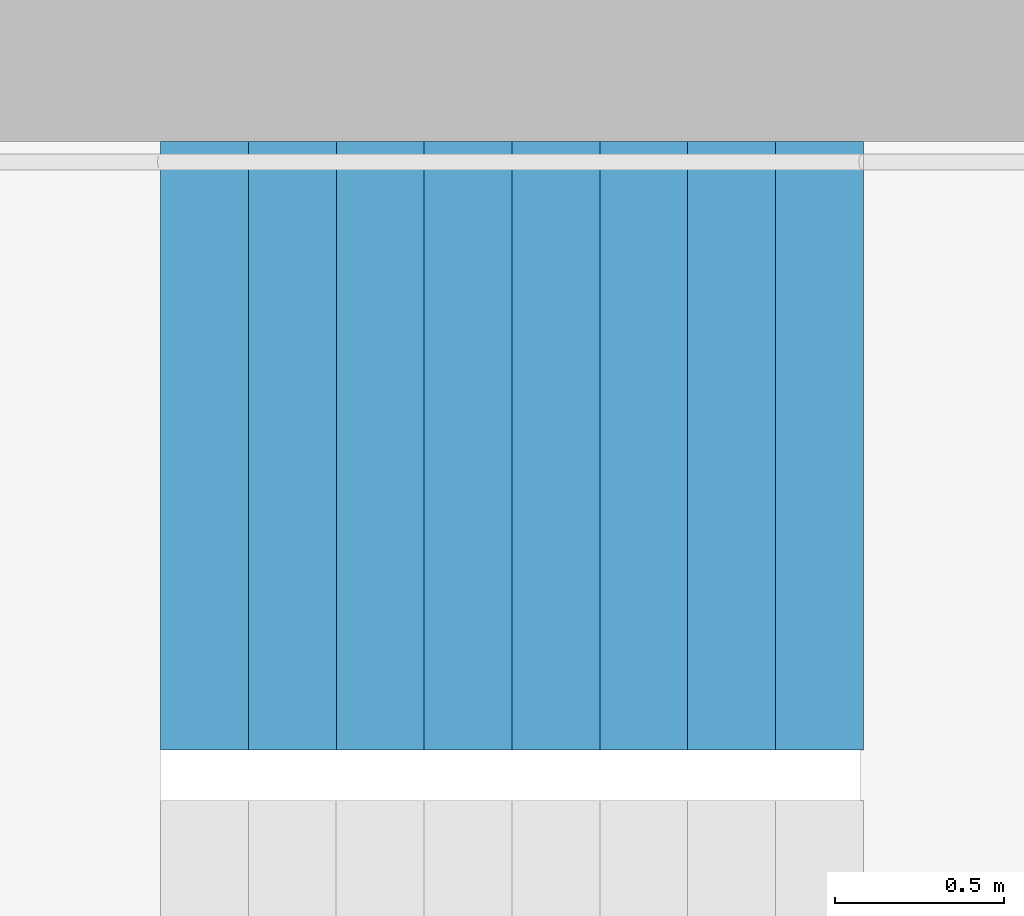
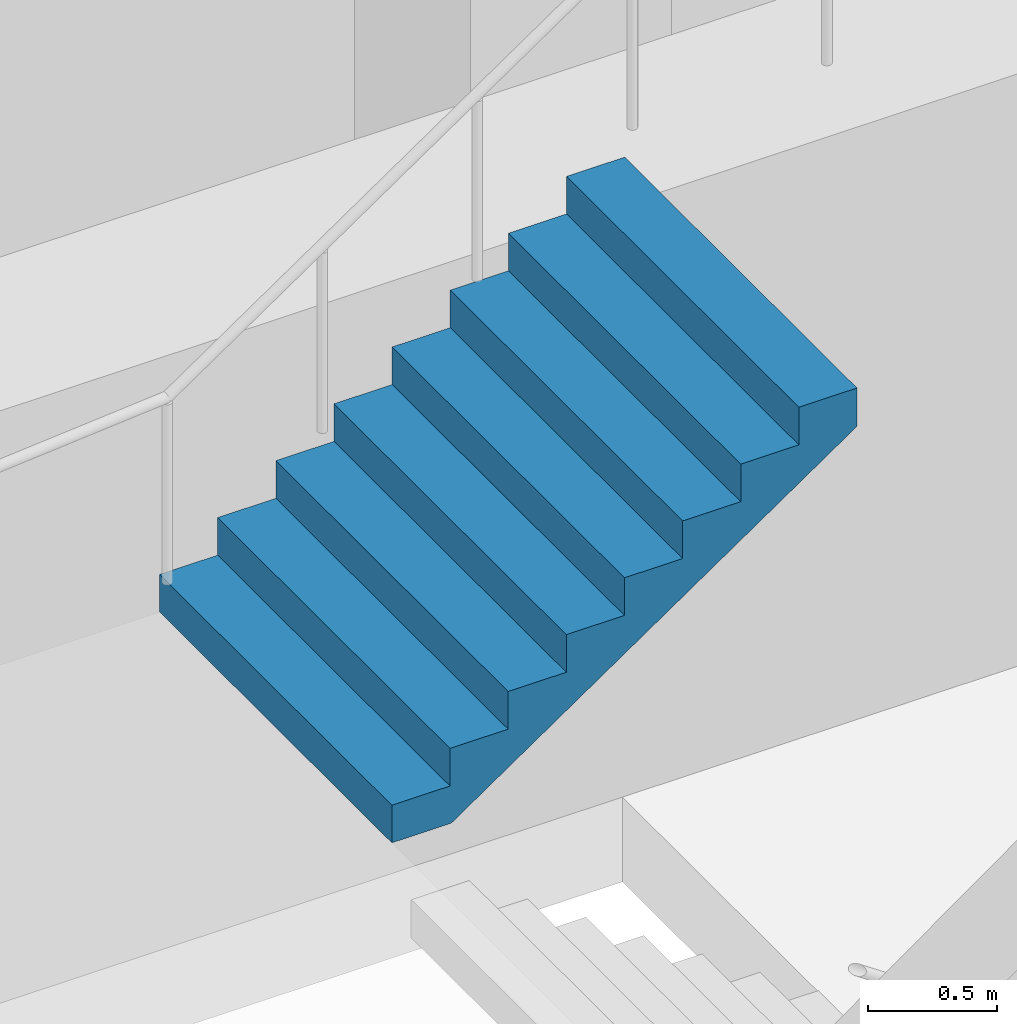
# One storey, part 28 of 29: 1 stair flight, 1 element without a shape of its own.
"""IFC4 building model written with IfcOpenShell, lengths in metres."""

import ifcopenshell
import ifcopenshell.guid

model = None  # the IFC model being written
_history = None  # IfcOwnerHistory: only IFC2X3 demands one
_inside = {}  # id of a spatial element -> (the spatial element, [elements in it])
_under = {}  # id of a project, library or spatial element -> (it, [spatial elements below it])
_declared = {}  # id of a project -> (the project, [libraries it declares])
_typed = {}  # id of a type object -> (the type object, [elements of that type])
_made_of = {}  # id of a material, layer set ... -> (it, [elements and type objects made of it])


def new_model(schema):
    """Start an empty IFC model of exactly this schema.

    Asked for "IFC4X3", IfcOpenShell would pick the latest addendum, in which some entities
    have other attributes; the version numbers below select the first issue.
    IFC2X3 requires an IfcOwnerHistory on every rooted entity: one is made here for all.
    """
    global model, _history
    if schema == "IFC4X3":
        model = ifcopenshell.file(schema_version=(4, 3, 0, 0))
    else:
        model = ifcopenshell.file(schema=schema)
    _inside.clear()
    _under.clear()
    _declared.clear()
    _typed.clear()
    _made_of.clear()
    _history = None
    if model.schema == "IFC2X3":
        org = make("IfcOrganization", Name="unknown")
        user = make(
            "IfcPersonAndOrganization",
            ThePerson=make("IfcPerson", FamilyName="unknown"),
            TheOrganization=org,
        )
        app = make(
            "IfcApplication",
            ApplicationDeveloper=org,
            Version="unknown",
            ApplicationFullName="unknown",
            ApplicationIdentifier="unknown",
        )
        _history = make(
            "IfcOwnerHistory",
            OwningUser=user,
            OwningApplication=app,
            ChangeAction="ADDED",
            CreationDate=0,
        )
    return model


def make(cls, **values):
    """One entity of the class cls with the attributes given. An attribute that is None is left unset."""
    return model.create_entity(
        cls, **{name: value for name, value in values.items() if value is not None}
    )


def rooted(cls, **values):
    """An entity with a GlobalId (a new one), such as an element, a storey or a relation."""
    return make(cls, GlobalId=ifcopenshell.guid.new(), OwnerHistory=_history, **values)


def si_unit(unit_type, name, prefix=None):
    """IfcSIUnit, for example si_unit("LENGTHUNIT", "METRE", prefix="MILLI")."""
    return make("IfcSIUnit", UnitType=unit_type, Prefix=prefix, Name=name)


def assignment(units):
    """IfcUnitAssignment: the units of a project."""
    return None if units is None else make("IfcUnitAssignment", Units=units)


def point(xyz):
    """IfcCartesianPoint."""
    return None if xyz is None else make("IfcCartesianPoint", Coordinates=xyz)


def direction(xyz):
    """IfcDirection."""
    return None if xyz is None else make("IfcDirection", DirectionRatios=xyz)


def frame(location, z_axis=None, x_axis=None):
    """IfcAxis2Placement3D, a coordinate frame: its origin and axes. An axis left out is left unset."""
    return make(
        "IfcAxis2Placement3D",
        Location=point(location),
        Axis=direction(z_axis),
        RefDirection=direction(x_axis),
    )


def origin():
    """The frame at (0, 0, 0) with its axes left unset."""
    return frame((0.0, 0.0, 0.0))


def place(relative_to, where):
    """IfcLocalPlacement: puts the frame where relative to a parent placement (None: the world)."""
    return make(
        "IfcLocalPlacement", PlacementRelTo=relative_to, RelativePlacement=where
    )


def context(
    kind, dimensions, precision=None, world=None, true_north=None, identifier=None
):
    """IfcGeometricRepresentationContext, for example the 3D "Model" context."""
    return make(
        "IfcGeometricRepresentationContext",
        ContextIdentifier=identifier,
        ContextType=kind,
        CoordinateSpaceDimension=dimensions,
        Precision=precision,
        WorldCoordinateSystem=world,
        TrueNorth=true_north,
    )


def subcontext(parent, identifier, kind, view, scale=None):
    """IfcGeometricRepresentationSubContext, for example "Body" below "Model"."""
    return make(
        "IfcGeometricRepresentationSubContext",
        ContextIdentifier=identifier,
        ContextType=kind,
        ParentContext=parent,
        TargetScale=scale,
        TargetView=view,
    )


def project(units=None, contexts=None):
    """IfcProject with its units and contexts."""
    return rooted(
        "IfcProject",
        Name="project",
        RepresentationContexts=contexts,
        UnitsInContext=assignment(units),
    )


def spatial(cls, under=None, at=None, **own):
    """A site, building, storey or space (cls), placed at a placement, below another one or the project."""
    s = rooted(cls, ObjectPlacement=at, **own)
    if under is not None:
        _under.setdefault(under.id(), (under, []))[1].append(s)
    return s


def point_list(points):
    """IfcCartesianPointList2D or 3D."""
    cls = (
        "IfcCartesianPointList2D" if len(points[0]) == 2 else "IfcCartesianPointList3D"
    )
    return make(cls, CoordList=points)


def triangles(points, corners, closed=None, point_numbers=None):
    """IfcTriangulatedFaceSet: each triangle names its three corners, points numbered from 1."""
    return make(
        "IfcTriangulatedFaceSet",
        Coordinates=point_list(points),
        Closed=closed,
        CoordIndex=corners,
        PnIndex=point_numbers,
    )


def shape(context_of_items, identifier, shape_type, items):
    """IfcShapeRepresentation: the items that make up one representation, for example the "Body"."""
    return make(
        "IfcShapeRepresentation",
        ContextOfItems=context_of_items,
        RepresentationIdentifier=identifier,
        RepresentationType=shape_type,
        Items=items,
    )


def material(Name=None, Category=None):
    """IfcMaterial."""
    return make("IfcMaterial", Name=Name, Category=Category)


def made_of(thing, what):
    """Note that an element or type object is made of a material, layer set ...; save() writes the relation."""
    if what is not None:
        _made_of.setdefault(what.id(), (what, []))[1].append(thing)
    return thing


def type_object(cls, material=None, **own):
    """A type object (cls), such as IfcWallType, which elements share."""
    return made_of(rooted(cls, **own), material)


def element(
    cls,
    number,
    at=None,
    inside=None,
    cuts=None,
    type_object=None,
    material=None,
    context=None,
    identifier="Body",
    shape_type=None,
    held_by="IfcProductDefinitionShape",
    body=None,
    shapes=None,
    **own,
):
    """One element of the class cls, such as IfcWall. Its Tag is "e" and its number.

    at: its placement. inside: the storey or other place that contains it. cuts: it is an
    opening in that element (IfcRelVoidsElement). A single representation is given by context,
    identifier, shape_type and body (its items); several are given by shapes. held_by: the class
    of the entity that holds the representations. save() writes the other relations.
    """
    e = rooted(cls, Tag="e%d" % number, ObjectPlacement=at, **own)
    if body is not None:
        shapes = [shape(context, identifier, shape_type, body)]
    if shapes is not None:
        e.Representation = make(held_by, Representations=shapes)
    if inside is not None:
        _inside.setdefault(inside.id(), (inside, []))[1].append(e)
    if cuts is not None:
        rooted(
            "IfcRelVoidsElement", RelatingBuildingElement=cuts, RelatedOpeningElement=e
        )
    if type_object is not None:
        _typed.setdefault(type_object.id(), (type_object, []))[1].append(e)
    return made_of(e, material)


def aggregate(whole, parts):
    """IfcRelAggregates: a whole, such as a stair, and the parts it consists of."""
    return rooted("IfcRelAggregates", RelatingObject=whole, RelatedObjects=parts)


def save(model, path):
    """Write the relations noted so far, then the file.

    IfcRelAggregates (storeys below a building ...), IfcRelContainedInSpatialStructure (elements
    in a storey), IfcRelDefinesByType, IfcRelAssociatesMaterial and IfcRelDeclares: one each for
    every whole, place, type object, material and project.
    """
    for whole, parts in _under.values():
        aggregate(whole, parts)
    for where, things in _inside.values():
        rooted(
            "IfcRelContainedInSpatialStructure",
            RelatedElements=things,
            RelatingStructure=where,
        )
    for kind, things in _typed.values():
        rooted("IfcRelDefinesByType", RelatedObjects=things, RelatingType=kind)
    for what, things in _made_of.values():
        rooted("IfcRelAssociatesMaterial", RelatedObjects=things, RelatingMaterial=what)
    for by, libraries in _declared.values():
        rooted("IfcRelDeclares", RelatingContext=by, RelatedDefinitions=libraries)
    model.write(path)


model = new_model("IFC4")

# Units and contexts
model_context = context("Model", 3, precision=1e-05, world=origin(), true_north=direction((0.0, 1.0)))
body_context = subcontext(model_context, "Body", "Model", "MODEL_VIEW")
ifc_project = project(units=[si_unit("LENGTHUNIT", "METRE"), si_unit("AREAUNIT", "SQUARE_METRE"), si_unit("VOLUMEUNIT", "CUBIC_METRE"), si_unit("PLANEANGLEUNIT", "RADIAN"), si_unit("MASSUNIT", "GRAM", prefix="KILO")], contexts=[model_context])

# Site, building, storey
site_placement = place(None, origin())
site = spatial("IfcSite", under=ifc_project, at=site_placement, CompositionType="ELEMENT")
building_placement = place(site_placement, origin())
building = spatial("IfcBuilding", under=site, at=building_placement, Name="Hakoniwa Tower and Hamabe Station Hall", CompositionType="ELEMENT")
storey_placement = place(building_placement, frame((0.0, 0.0, 97.800048828125)))
storey = spatial("IfcBuildingStorey", under=building, at=storey_placement, Name="L27", CompositionType="ELEMENT", Elevation=97.800048828125)

# Stair, stair flight
ifc_material_1 = material(Name="Concrete C40", Category="concrete")
stair_type = type_object("IfcStairType", Name="ESCAPE STAIR 1800", PredefinedType="HALF_TURN_STAIR", material=ifc_material_1)
stair_placement = place(storey_placement, origin())
stair = element("IfcStair", 1, at=stair_placement, inside=storey, type_object=stair_type, Name="Escape stair ST-3 L27", PredefinedType="HALF_TURN_STAIR")
ifc_material_2 = material(Name="Concrete C40", Category="concrete")
stair_flight_type = type_object("IfcStairFlightType", Name="STAIR FLIGHT 1800", PredefinedType="STRAIGHT", material=ifc_material_2)
stair_flight_placement = place(storey_placement, frame((22.320068359375, 6.60009765625, 1.599853515625), z_axis=(0.0, 0.0, 1.0), x_axis=(1.0, 0.0, 0.0)))
stair_flight = element("IfcStairFlight", 2, at=stair_flight_placement, type_object=stair_flight_type, Name="ST-3 flight 2", NumberOfRisers=9, NumberOfTreads=8, PredefinedType="STRAIGHT", RiserHeight=0.177777778, TreadLength=0.26, context=body_context, shape_type="Tessellation", body=[
    triangles([(0.0, 0.89990234375, 0.0), (0.260009765625, 0.89990234375, 0.0), (0.265625, 0.89990234375, 0.0), (0.52001953125, 0.89990234375, 0.174072265625), (0.780029296875, 0.89990234375, 0.351806640625), (1.0400390625, 0.89990234375, 0.529541015625), (1.300048828125, 0.89990234375, 0.707275390625), (1.56005859375, 0.89990234375, 0.885009765625), (1.820068359375, 0.89990234375, 1.062744140625), (2.080078125, 0.89990234375, 1.24072265625), (2.080078125, 0.89990234375, 1.422119140625), (1.820068359375, 0.89990234375, 1.422119140625), (1.820068359375, 0.89990234375, 1.244384765625), (1.56005859375, 0.89990234375, 1.244384765625), (1.56005859375, 0.89990234375, 1.066650390625), (1.300048828125, 0.89990234375, 1.066650390625), (1.300048828125, 0.89990234375, 0.888916015625), (1.0400390625, 0.89990234375, 0.888916015625), (1.0400390625, 0.89990234375, 0.711181640625), (0.780029296875, 0.89990234375, 0.711181640625), (0.780029296875, 0.89990234375, 0.533447265625), (0.52001953125, 0.89990234375, 0.533447265625), (0.52001953125, 0.89990234375, 0.35546875), (0.265625, 0.89990234375, 0.35546875), (0.260009765625, 0.89990234375, 0.35546875), (0.260009765625, 0.89990234375, 0.177734375), (0.0, 0.89990234375, 0.177734375), (0.0, 0.06005859375, 0.0), (0.260009765625, 0.06005859375, 0.0), (0.265625, 0.06005859375, 0.0), (0.52001953125, 0.06005859375, 0.174072265625), (0.780029296875, 0.06005859375, 0.351806640625), (1.0400390625, 0.06005859375, 0.529541015625), (1.300048828125, 0.06005859375, 0.707275390625), (1.56005859375, 0.06005859375, 0.885009765625), (1.820068359375, 0.06005859375, 1.062744140625), (2.080078125, 0.06005859375, 1.24072265625), (2.080078125, 0.06005859375, 1.422119140625), (1.820068359375, 0.06005859375, 1.422119140625), (1.820068359375, 0.06005859375, 1.244384765625), (1.56005859375, 0.06005859375, 1.244384765625), (1.56005859375, 0.06005859375, 1.066650390625), (1.300048828125, 0.06005859375, 1.066650390625), (1.300048828125, 0.06005859375, 0.888916015625), (1.0400390625, 0.06005859375, 0.888916015625), (1.0400390625, 0.06005859375, 0.711181640625), (0.780029296875, 0.06005859375, 0.711181640625), (0.780029296875, 0.06005859375, 0.533447265625), (0.52001953125, 0.06005859375, 0.533447265625), (0.52001953125, 0.06005859375, 0.35546875), (0.265625, 0.06005859375, 0.35546875), (0.260009765625, 0.06005859375, 0.35546875), (0.260009765625, 0.06005859375, 0.177734375), (0.0, 0.06005859375, 0.177734375), (0.0, 0.04296875, 0.0), (0.260009765625, 0.04296875, 0.0), (0.265625, 0.04296875, 0.0), (0.52001953125, 0.04296875, 0.174072265625), (0.780029296875, 0.04296875, 0.351806640625), (1.0400390625, 0.04296875, 0.529541015625), (1.300048828125, 0.04296875, 0.707275390625), (1.56005859375, 0.04296875, 0.885009765625), (1.820068359375, 0.04296875, 1.062744140625), (2.080078125, 0.04296875, 1.24072265625), (2.080078125, 0.04296875, 1.422119140625), (1.820068359375, 0.04296875, 1.422119140625), (1.820068359375, 0.04296875, 1.244384765625), (1.56005859375, 0.04296875, 1.244384765625), (1.56005859375, 0.04296875, 1.066650390625), (1.300048828125, 0.04296875, 1.066650390625), (1.300048828125, 0.04296875, 0.888916015625), (1.0400390625, 0.04296875, 0.888916015625), (1.0400390625, 0.04296875, 0.711181640625), (0.780029296875, 0.04296875, 0.711181640625), (0.780029296875, 0.04296875, 0.533447265625), (0.52001953125, 0.04296875, 0.533447265625), (0.52001953125, 0.04296875, 0.35546875), (0.265625, 0.04296875, 0.35546875), (0.260009765625, 0.04296875, 0.35546875), (0.260009765625, 0.04296875, 0.177734375), (0.0, 0.04296875, 0.177734375), (0.0, 0.025634765625, 0.0), (0.260009765625, 0.025634765625, 0.0), (0.265625, 0.025634765625, 0.0), (0.52001953125, 0.025634765625, 0.174072265625), (0.780029296875, 0.025634765625, 0.351806640625), (1.0400390625, 0.025634765625, 0.529541015625), (1.300048828125, 0.025634765625, 0.707275390625), (1.56005859375, 0.025634765625, 0.885009765625), (1.820068359375, 0.025634765625, 1.062744140625), (2.080078125, 0.025634765625, 1.24072265625), (2.080078125, 0.025634765625, 1.422119140625), (1.820068359375, 0.025634765625, 1.422119140625), (1.820068359375, 0.025634765625, 1.244384765625), (1.56005859375, 0.025634765625, 1.244384765625), (1.56005859375, 0.025634765625, 1.066650390625), (1.300048828125, 0.025634765625, 1.066650390625), (1.300048828125, 0.025634765625, 0.888916015625), (1.0400390625, 0.025634765625, 0.888916015625), (1.0400390625, 0.025634765625, 0.711181640625), (0.780029296875, 0.025634765625, 0.711181640625), (0.780029296875, 0.025634765625, 0.533447265625), (0.52001953125, 0.025634765625, 0.533447265625), (0.52001953125, 0.025634765625, 0.35546875), (0.265625, 0.025634765625, 0.35546875), (0.260009765625, 0.025634765625, 0.35546875), (0.260009765625, 0.025634765625, 0.177734375), (0.0, 0.025634765625, 0.177734375), (0.0, 0.008544921875, 0.0), (0.260009765625, 0.008544921875, 0.0), (0.265625, 0.008544921875, 0.0), (0.52001953125, 0.008544921875, 0.174072265625), (0.780029296875, 0.008544921875, 0.351806640625), (1.0400390625, 0.008544921875, 0.529541015625), (1.300048828125, 0.008544921875, 0.707275390625), (1.56005859375, 0.008544921875, 0.885009765625), (1.820068359375, 0.008544921875, 1.062744140625), (2.080078125, 0.008544921875, 1.24072265625), (2.080078125, 0.008544921875, 1.422119140625), (1.820068359375, 0.008544921875, 1.422119140625), (1.820068359375, 0.008544921875, 1.244384765625), (1.56005859375, 0.008544921875, 1.244384765625), (1.56005859375, 0.008544921875, 1.066650390625), (1.300048828125, 0.008544921875, 1.066650390625), (1.300048828125, 0.008544921875, 0.888916015625), (1.0400390625, 0.008544921875, 0.888916015625), (1.0400390625, 0.008544921875, 0.711181640625), (0.780029296875, 0.008544921875, 0.711181640625), (0.780029296875, 0.008544921875, 0.533447265625), (0.52001953125, 0.008544921875, 0.533447265625), (0.52001953125, 0.008544921875, 0.35546875), (0.265625, 0.008544921875, 0.35546875), (0.260009765625, 0.008544921875, 0.35546875), (0.260009765625, 0.008544921875, 0.177734375), (0.0, 0.008544921875, 0.177734375), (0.0, -0.008544921875, 0.0), (0.260009765625, -0.008544921875, 0.0), (0.265625, -0.008544921875, 0.0), (0.52001953125, -0.008544921875, 0.174072265625), (0.780029296875, -0.008544921875, 0.351806640625), (1.0400390625, -0.008544921875, 0.529541015625), (1.300048828125, -0.008544921875, 0.707275390625), (1.56005859375, -0.008544921875, 0.885009765625), (1.820068359375, -0.008544921875, 1.062744140625), (2.080078125, -0.008544921875, 1.24072265625), (2.080078125, -0.008544921875, 1.422119140625), (1.820068359375, -0.008544921875, 1.422119140625), (1.820068359375, -0.008544921875, 1.244384765625), (1.56005859375, -0.008544921875, 1.244384765625), (1.56005859375, -0.008544921875, 1.066650390625), (1.300048828125, -0.008544921875, 1.066650390625), (1.300048828125, -0.008544921875, 0.888916015625), (1.0400390625, -0.008544921875, 0.888916015625), (1.0400390625, -0.008544921875, 0.711181640625), (0.780029296875, -0.008544921875, 0.711181640625), (0.780029296875, -0.008544921875, 0.533447265625), (0.52001953125, -0.008544921875, 0.533447265625), (0.52001953125, -0.008544921875, 0.35546875), (0.265625, -0.008544921875, 0.35546875), (0.260009765625, -0.008544921875, 0.35546875), (0.260009765625, -0.008544921875, 0.177734375), (0.0, -0.008544921875, 0.177734375), (0.0, -0.025634765625, 0.0), (0.260009765625, -0.025634765625, 0.0), (0.265625, -0.025634765625, 0.0), (0.52001953125, -0.025634765625, 0.174072265625), (0.780029296875, -0.025634765625, 0.351806640625), (1.0400390625, -0.025634765625, 0.529541015625), (1.300048828125, -0.025634765625, 0.707275390625), (1.56005859375, -0.025634765625, 0.885009765625), (1.820068359375, -0.025634765625, 1.062744140625), (2.080078125, -0.025634765625, 1.24072265625), (2.080078125, -0.025634765625, 1.422119140625), (1.820068359375, -0.025634765625, 1.422119140625), (1.820068359375, -0.025634765625, 1.244384765625), (1.56005859375, -0.025634765625, 1.244384765625), (1.56005859375, -0.025634765625, 1.066650390625), (1.300048828125, -0.025634765625, 1.066650390625), (1.300048828125, -0.025634765625, 0.888916015625), (1.0400390625, -0.025634765625, 0.888916015625), (1.0400390625, -0.025634765625, 0.711181640625), (0.780029296875, -0.025634765625, 0.711181640625), (0.780029296875, -0.025634765625, 0.533447265625), (0.52001953125, -0.025634765625, 0.533447265625), (0.52001953125, -0.025634765625, 0.35546875), (0.265625, -0.025634765625, 0.35546875), (0.260009765625, -0.025634765625, 0.35546875), (0.260009765625, -0.025634765625, 0.177734375), (0.0, -0.025634765625, 0.177734375), (0.0, -0.04296875, 0.0), (0.260009765625, -0.04296875, 0.0), (0.265625, -0.04296875, 0.0), (0.52001953125, -0.04296875, 0.174072265625), (0.780029296875, -0.04296875, 0.351806640625), (1.0400390625, -0.04296875, 0.529541015625), (1.300048828125, -0.04296875, 0.707275390625), (1.56005859375, -0.04296875, 0.885009765625), (1.820068359375, -0.04296875, 1.062744140625), (2.080078125, -0.04296875, 1.24072265625), (2.080078125, -0.04296875, 1.422119140625), (1.820068359375, -0.04296875, 1.422119140625), (1.820068359375, -0.04296875, 1.244384765625), (1.56005859375, -0.04296875, 1.244384765625), (1.56005859375, -0.04296875, 1.066650390625), (1.300048828125, -0.04296875, 1.066650390625), (1.300048828125, -0.04296875, 0.888916015625), (1.0400390625, -0.04296875, 0.888916015625), (1.0400390625, -0.04296875, 0.711181640625), (0.780029296875, -0.04296875, 0.711181640625), (0.780029296875, -0.04296875, 0.533447265625), (0.52001953125, -0.04296875, 0.533447265625), (0.52001953125, -0.04296875, 0.35546875), (0.265625, -0.04296875, 0.35546875), (0.260009765625, -0.04296875, 0.35546875), (0.260009765625, -0.04296875, 0.177734375), (0.0, -0.04296875, 0.177734375), (0.0, -0.06005859375, 0.0), (0.260009765625, -0.06005859375, 0.0), (0.265625, -0.06005859375, 0.0), (0.52001953125, -0.06005859375, 0.174072265625), (0.780029296875, -0.06005859375, 0.351806640625), (1.0400390625, -0.06005859375, 0.529541015625), (1.300048828125, -0.06005859375, 0.707275390625), (1.56005859375, -0.06005859375, 0.885009765625), (1.820068359375, -0.06005859375, 1.062744140625), (2.080078125, -0.06005859375, 1.24072265625), (2.080078125, -0.06005859375, 1.422119140625), (1.820068359375, -0.06005859375, 1.422119140625), (1.820068359375, -0.06005859375, 1.244384765625), (1.56005859375, -0.06005859375, 1.244384765625), (1.56005859375, -0.06005859375, 1.066650390625), (1.300048828125, -0.06005859375, 1.066650390625), (1.300048828125, -0.06005859375, 0.888916015625), (1.0400390625, -0.06005859375, 0.888916015625), (1.0400390625, -0.06005859375, 0.711181640625), (0.780029296875, -0.06005859375, 0.711181640625), (0.780029296875, -0.06005859375, 0.533447265625), (0.52001953125, -0.06005859375, 0.533447265625), (0.52001953125, -0.06005859375, 0.35546875), (0.265625, -0.06005859375, 0.35546875), (0.260009765625, -0.06005859375, 0.35546875), (0.260009765625, -0.06005859375, 0.177734375), (0.0, -0.06005859375, 0.177734375), (0.0, -0.89990234375, 0.0), (0.260009765625, -0.89990234375, 0.0), (0.265625, -0.89990234375, 0.0), (0.52001953125, -0.89990234375, 0.174072265625), (0.780029296875, -0.89990234375, 0.351806640625), (1.0400390625, -0.89990234375, 0.529541015625), (1.300048828125, -0.89990234375, 0.707275390625), (1.56005859375, -0.89990234375, 0.885009765625), (1.820068359375, -0.89990234375, 1.062744140625), (2.080078125, -0.89990234375, 1.24072265625), (2.080078125, -0.89990234375, 1.422119140625), (1.820068359375, -0.89990234375, 1.422119140625), (1.820068359375, -0.89990234375, 1.244384765625), (1.56005859375, -0.89990234375, 1.244384765625), (1.56005859375, -0.89990234375, 1.066650390625), (1.300048828125, -0.89990234375, 1.066650390625), (1.300048828125, -0.89990234375, 0.888916015625), (1.0400390625, -0.89990234375, 0.888916015625), (1.0400390625, -0.89990234375, 0.711181640625), (0.780029296875, -0.89990234375, 0.711181640625), (0.780029296875, -0.89990234375, 0.533447265625), (0.52001953125, -0.89990234375, 0.533447265625), (0.52001953125, -0.89990234375, 0.35546875), (0.265625, -0.89990234375, 0.35546875), (0.260009765625, -0.89990234375, 0.35546875), (0.260009765625, -0.89990234375, 0.177734375), (0.0, -0.89990234375, 0.177734375)], [[2, 27, 26], [245, 269, 270], [2, 1, 27], [245, 270, 244], [3, 25, 24], [246, 267, 268], [3, 26, 25], [246, 268, 269], [3, 2, 26], [246, 269, 245], [4, 24, 23], [247, 266, 267], [4, 3, 24], [247, 267, 246], [5, 22, 21], [248, 264, 265], [5, 23, 22], [248, 265, 266], [5, 4, 23], [248, 266, 247], [6, 20, 19], [249, 262, 263], [6, 21, 20], [249, 263, 264], [6, 5, 21], [249, 264, 248], [7, 18, 17], [250, 260, 261], [7, 19, 18], [250, 261, 262], [7, 6, 19], [250, 262, 249], [8, 16, 15], [251, 258, 259], [8, 17, 16], [251, 259, 260], [8, 7, 17], [251, 260, 250], [9, 14, 13], [252, 256, 257], [9, 15, 14], [252, 257, 258], [9, 8, 15], [252, 258, 251], [10, 12, 11], [253, 254, 255], [10, 13, 12], [253, 255, 256], [10, 9, 13], [253, 256, 252], [1, 2, 29], [1, 29, 28], [28, 29, 56], [28, 56, 55], [55, 56, 83], [55, 83, 82], [82, 83, 110], [82, 110, 109], [109, 110, 137], [109, 137, 136], [136, 137, 164], [136, 164, 163], [163, 164, 191], [163, 191, 190], [190, 191, 218], [190, 218, 217], [217, 218, 245], [217, 245, 244], [2, 3, 30], [2, 30, 29], [29, 30, 57], [29, 57, 56], [56, 57, 84], [56, 84, 83], [83, 84, 111], [83, 111, 110], [110, 111, 138], [110, 138, 137], [137, 138, 165], [137, 165, 164], [164, 165, 192], [164, 192, 191], [191, 192, 219], [191, 219, 218], [218, 219, 246], [218, 246, 245], [3, 4, 31], [3, 31, 30], [30, 31, 58], [30, 58, 57], [57, 58, 85], [57, 85, 84], [84, 85, 112], [84, 112, 111], [111, 112, 139], [111, 139, 138], [138, 139, 166], [138, 166, 165], [165, 166, 193], [165, 193, 192], [192, 193, 220], [192, 220, 219], [219, 220, 247], [219, 247, 246], [4, 5, 32], [4, 32, 31], [31, 32, 59], [31, 59, 58], [58, 59, 86], [58, 86, 85], [85, 86, 113], [85, 113, 112], [112, 113, 140], [112, 140, 139], [139, 140, 167], [139, 167, 166], [166, 167, 194], [166, 194, 193], [193, 194, 221], [193, 221, 220], [220, 221, 248], [220, 248, 247], [5, 6, 33], [5, 33, 32], [32, 33, 60], [32, 60, 59], [59, 60, 87], [59, 87, 86], [86, 87, 114], [86, 114, 113], [113, 114, 141], [113, 141, 140], [140, 141, 168], [140, 168, 167], [167, 168, 195], [167, 195, 194], [194, 195, 222], [194, 222, 221], [221, 222, 249], [221, 249, 248], [6, 7, 34], [6, 34, 33], [33, 34, 61], [33, 61, 60], [60, 61, 88], [60, 88, 87], [87, 88, 115], [87, 115, 114], [114, 115, 142], [114, 142, 141], [141, 142, 169], [141, 169, 168], [168, 169, 196], [168, 196, 195], [195, 196, 223], [195, 223, 222], [222, 223, 250], [222, 250, 249], [7, 8, 35], [7, 35, 34], [34, 35, 62], [34, 62, 61], [61, 62, 89], [61, 89, 88], [88, 89, 116], [88, 116, 115], [115, 116, 143], [115, 143, 142], [142, 143, 170], [142, 170, 169], [169, 170, 197], [169, 197, 196], [196, 197, 224], [196, 224, 223], [223, 224, 251], [223, 251, 250], [8, 9, 36], [8, 36, 35], [35, 36, 63], [35, 63, 62], [62, 63, 90], [62, 90, 89], [89, 90, 117], [89, 117, 116], [116, 117, 144], [116, 144, 143], [143, 144, 171], [143, 171, 170], [170, 171, 198], [170, 198, 197], [197, 198, 225], [197, 225, 224], [224, 225, 252], [224, 252, 251], [9, 10, 37], [9, 37, 36], [36, 37, 64], [36, 64, 63], [63, 64, 91], [63, 91, 90], [90, 91, 118], [90, 118, 117], [117, 118, 145], [117, 145, 144], [144, 145, 172], [144, 172, 171], [171, 172, 199], [171, 199, 198], [198, 199, 226], [198, 226, 225], [225, 226, 253], [225, 253, 252], [10, 11, 38], [10, 38, 37], [37, 38, 65], [37, 65, 64], [64, 65, 92], [64, 92, 91], [91, 92, 119], [91, 119, 118], [118, 119, 146], [118, 146, 145], [145, 146, 173], [145, 173, 172], [172, 173, 200], [172, 200, 199], [199, 200, 227], [199, 227, 226], [226, 227, 254], [226, 254, 253], [11, 12, 39], [11, 39, 38], [38, 39, 66], [38, 66, 65], [65, 66, 93], [65, 93, 92], [92, 93, 120], [92, 120, 119], [119, 120, 147], [119, 147, 146], [146, 147, 174], [146, 174, 173], [173, 174, 201], [173, 201, 200], [200, 201, 228], [200, 228, 227], [227, 228, 255], [227, 255, 254], [12, 13, 40], [12, 40, 39], [39, 40, 67], [39, 67, 66], [66, 67, 94], [66, 94, 93], [93, 94, 121], [93, 121, 120], [120, 121, 148], [120, 148, 147], [147, 148, 175], [147, 175, 174], [174, 175, 202], [174, 202, 201], [201, 202, 229], [201, 229, 228], [228, 229, 256], [228, 256, 255], [13, 14, 41], [13, 41, 40], [40, 41, 68], [40, 68, 67], [67, 68, 95], [67, 95, 94], [94, 95, 122], [94, 122, 121], [121, 122, 149], [121, 149, 148], [148, 149, 176], [148, 176, 175], [175, 176, 203], [175, 203, 202], [202, 203, 230], [202, 230, 229], [229, 230, 257], [229, 257, 256], [14, 15, 42], [14, 42, 41], [41, 42, 69], [41, 69, 68], [68, 69, 96], [68, 96, 95], [95, 96, 123], [95, 123, 122], [122, 123, 150], [122, 150, 149], [149, 150, 177], [149, 177, 176], [176, 177, 204], [176, 204, 203], [203, 204, 231], [203, 231, 230], [230, 231, 258], [230, 258, 257], [15, 16, 43], [15, 43, 42], [42, 43, 70], [42, 70, 69], [69, 70, 97], [69, 97, 96], [96, 97, 124], [96, 124, 123], [123, 124, 151], [123, 151, 150], [150, 151, 178], [150, 178, 177], [177, 178, 205], [177, 205, 204], [204, 205, 232], [204, 232, 231], [231, 232, 259], [231, 259, 258], [16, 17, 44], [16, 44, 43], [43, 44, 71], [43, 71, 70], [70, 71, 98], [70, 98, 97], [97, 98, 125], [97, 125, 124], [124, 125, 152], [124, 152, 151], [151, 152, 179], [151, 179, 178], [178, 179, 206], [178, 206, 205], [205, 206, 233], [205, 233, 232], [232, 233, 260], [232, 260, 259], [17, 18, 45], [17, 45, 44], [44, 45, 72], [44, 72, 71], [71, 72, 99], [71, 99, 98], [98, 99, 126], [98, 126, 125], [125, 126, 153], [125, 153, 152], [152, 153, 180], [152, 180, 179], [179, 180, 207], [179, 207, 206], [206, 207, 234], [206, 234, 233], [233, 234, 261], [233, 261, 260], [18, 19, 46], [18, 46, 45], [45, 46, 73], [45, 73, 72], [72, 73, 100], [72, 100, 99], [99, 100, 127], [99, 127, 126], [126, 127, 154], [126, 154, 153], [153, 154, 181], [153, 181, 180], [180, 181, 208], [180, 208, 207], [207, 208, 235], [207, 235, 234], [234, 235, 262], [234, 262, 261], [19, 20, 47], [19, 47, 46], [46, 47, 74], [46, 74, 73], [73, 74, 101], [73, 101, 100], [100, 101, 128], [100, 128, 127], [127, 128, 155], [127, 155, 154], [154, 155, 182], [154, 182, 181], [181, 182, 209], [181, 209, 208], [208, 209, 236], [208, 236, 235], [235, 236, 263], [235, 263, 262], [20, 21, 48], [20, 48, 47], [47, 48, 75], [47, 75, 74], [74, 75, 102], [74, 102, 101], [101, 102, 129], [101, 129, 128], [128, 129, 156], [128, 156, 155], [155, 156, 183], [155, 183, 182], [182, 183, 210], [182, 210, 209], [209, 210, 237], [209, 237, 236], [236, 237, 264], [236, 264, 263], [21, 22, 49], [21, 49, 48], [48, 49, 76], [48, 76, 75], [75, 76, 103], [75, 103, 102], [102, 103, 130], [102, 130, 129], [129, 130, 157], [129, 157, 156], [156, 157, 184], [156, 184, 183], [183, 184, 211], [183, 211, 210], [210, 211, 238], [210, 238, 237], [237, 238, 265], [237, 265, 264], [22, 23, 50], [22, 50, 49], [49, 50, 77], [49, 77, 76], [76, 77, 104], [76, 104, 103], [103, 104, 131], [103, 131, 130], [130, 131, 158], [130, 158, 157], [157, 158, 185], [157, 185, 184], [184, 185, 212], [184, 212, 211], [211, 212, 239], [211, 239, 238], [238, 239, 266], [238, 266, 265], [23, 24, 51], [23, 51, 50], [50, 51, 78], [50, 78, 77], [77, 78, 105], [77, 105, 104], [104, 105, 132], [104, 132, 131], [131, 132, 159], [131, 159, 158], [158, 159, 186], [158, 186, 185], [185, 186, 213], [185, 213, 212], [212, 213, 240], [212, 240, 239], [239, 240, 267], [239, 267, 266], [24, 25, 52], [24, 52, 51], [51, 52, 79], [51, 79, 78], [78, 79, 106], [78, 106, 105], [105, 106, 133], [105, 133, 132], [132, 133, 160], [132, 160, 159], [159, 160, 187], [159, 187, 186], [186, 187, 214], [186, 214, 213], [213, 214, 241], [213, 241, 240], [240, 241, 268], [240, 268, 267], [25, 26, 53], [25, 53, 52], [52, 53, 80], [52, 80, 79], [79, 80, 107], [79, 107, 106], [106, 107, 134], [106, 134, 133], [133, 134, 161], [133, 161, 160], [160, 161, 188], [160, 188, 187], [187, 188, 215], [187, 215, 214], [214, 215, 242], [214, 242, 241], [241, 242, 269], [241, 269, 268], [26, 27, 54], [26, 54, 53], [53, 54, 81], [53, 81, 80], [80, 81, 108], [80, 108, 107], [107, 108, 135], [107, 135, 134], [134, 135, 162], [134, 162, 161], [161, 162, 189], [161, 189, 188], [188, 189, 216], [188, 216, 215], [215, 216, 243], [215, 243, 242], [242, 243, 270], [242, 270, 269], [27, 1, 28], [27, 28, 54], [54, 28, 55], [54, 55, 81], [81, 55, 82], [81, 82, 108], [108, 82, 109], [108, 109, 135], [135, 109, 136], [135, 136, 162], [162, 136, 163], [162, 163, 189], [189, 163, 190], [189, 190, 216], [216, 190, 217], [216, 217, 243], [243, 217, 244], [243, 244, 270]], closed=True),
])
aggregate(stair, [stair_flight])

save(model, "model.ifc")
